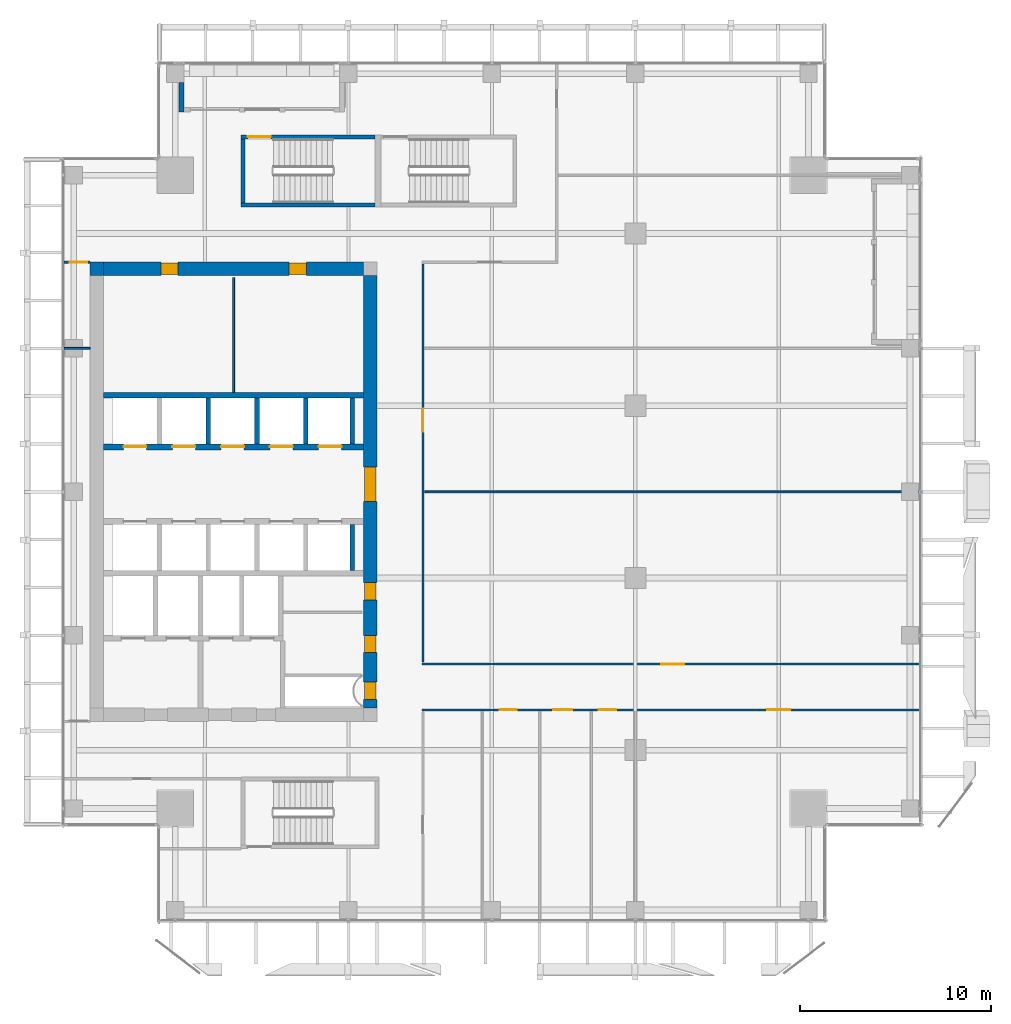
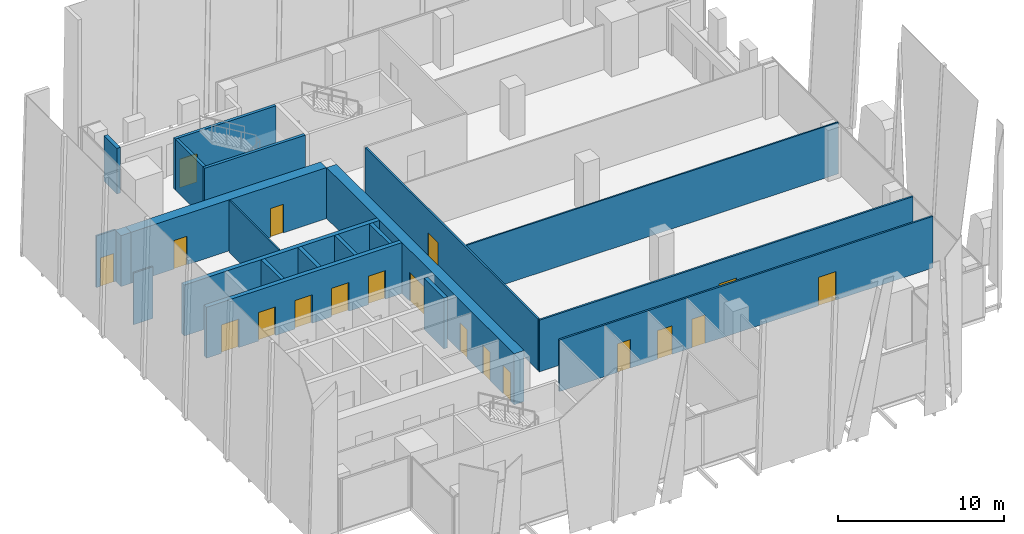
# One storey, part 29 of 35: 21 walls, 19 doors, 19 openings.
"""IFC4 building model written with IfcOpenShell, lengths in metres."""

from ifc_helpers import new_model, si_unit, direction, frame, frame_2d, origin, place, context, subcontext, project, spatial, rectangle, extrude, source, transform, mapped, material, layer, layer_set, type_object, element, fill, save


model = new_model("IFC4")

# Units and contexts
model_context = context("Model", 3, precision=1e-05, world=origin(), true_north=direction((0.0, 1.0)))
body_context = subcontext(model_context, "Body", "Model", "MODEL_VIEW")
ifc_project = project(units=[si_unit("LENGTHUNIT", "METRE"), si_unit("AREAUNIT", "SQUARE_METRE"), si_unit("VOLUMEUNIT", "CUBIC_METRE"), si_unit("PLANEANGLEUNIT", "RADIAN"), si_unit("MASSUNIT", "GRAM", prefix="KILO")], contexts=[model_context])

# Site, building, storey
site_placement = place(None, origin())
site = spatial("IfcSite", under=ifc_project, at=site_placement, CompositionType="ELEMENT")
building_placement = place(site_placement, origin())
building = spatial("IfcBuilding", under=site, at=building_placement, Name="Khomas Fold Tower", CompositionType="ELEMENT")
storey_placement = place(building_placement, frame((0.0, 0.0, 246.199951171875)))
storey = spatial("IfcBuildingStorey", under=building, at=storey_placement, Name="L55", CompositionType="ELEMENT", Elevation=246.199951171875)

# Wall, opening, door
ifc_material_1 = material(Name="Concrete C50/60", Category="concrete")
ifc_layer_1 = layer(ifc_material_1, 0.199951171875)
ifc_layer_set_1 = layer_set([ifc_layer_1], Name="Concrete C50/60")
wall_type_1 = type_object("IfcWallType", Name="Stair wall 200", PredefinedType="SHEAR", material=ifc_layer_set_1)
shared_shape_1 = source(origin(), body_context, "Body", "SweptSolid", [
    extrude(rectangle(XDim=7.0, YDim=0.199951171875, at=frame_2d((3.5, 0.0))), origin(), (0.0, 0.0, 1.0), 3.75),
])
wall_1_placement = place(storey_placement, frame((13.89990234375, 45.550048828125, 0.0), z_axis=(0.0, 0.0, 1.0), x_axis=(1.0, 0.0, 0.0)))
wall_1 = element("IfcWall", 1, at=wall_1_placement, inside=storey, type_object=wall_type_1, Name="Stair wall SW-ST1-N", PredefinedType="SHEAR", context=body_context, shape_type="MappedRepresentation", body=[
    mapped(shared_shape_1, transform((0.0, 0.0, 0.0))),
])
shared_shape_2 = source(origin(), body_context, "Body", "SweptSolid", [
    extrude(rectangle(XDim=1.199951171875, YDim=2.10009765625, at=frame_2d((0.60009765625, 1.050048828125))), frame((0.0, 0.10986328125, 0.0), z_axis=(0.0, -1.0, 0.0), x_axis=(1.0, 0.0, 0.0)), (0.0, 0.0, 1.0), 0.219970703125),
])
opening_1_placement = place(wall_1_placement, frame((0.35009765625, 0.0, 0.0)))
opening_1 = element("IfcOpeningElement", 2, at=opening_1_placement, cuts=wall_1, Name="Opening SD-ST1", PredefinedType="OPENING", context=body_context, shape_type="MappedRepresentation", body=[
    mapped(shared_shape_2, transform((0.0, 0.0, 0.0))),
])
ifc_material_2 = material(Name="Steel door leaf", Category="steel")
door_type_1 = type_object("IfcDoorType", Name="Stair door 1200x2100 left-hand", OperationType="SINGLE_SWING_LEFT", PredefinedType="DOOR", material=ifc_material_2)
shared_shape_3 = source(origin(), body_context, "Body", "SweptSolid", [
    extrude(rectangle(XDim=1.199951171875, YDim=2.10009765625, at=frame_2d((0.60009765625, 1.050048828125))), frame((0.0, 0.02490234375, 0.0), z_axis=(0.0, -1.0, 0.0), x_axis=(1.0, 0.0, 0.0)), (0.0, 0.0, 1.0), 0.050048828125),
])
door_1_placement = place(opening_1_placement, origin())
door_1 = element("IfcDoor", 3, at=door_1_placement, inside=storey, type_object=door_type_1, Name="Stair door", OperationType="SINGLE_SWING_LEFT", OverallHeight=2.10009765625, OverallWidth=1.199951171875, PredefinedType="DOOR", context=body_context, shape_type="MappedRepresentation", body=[
    mapped(shared_shape_3, transform((0.0, 0.0, 0.0))),
])
fill(opening_1, door_1)

# Walls
wall_2_placement = place(storey_placement, frame((13.89990234375, 42.0, 0.0), z_axis=(0.0, 0.0, 1.0), x_axis=(1.0, 0.0, 0.0)))
element("IfcWall", 4, at=wall_2_placement, inside=storey, type_object=wall_type_1, Name="Stair wall SW-ST1-S", PredefinedType="SHEAR", context=body_context, shape_type="MappedRepresentation", body=[
    mapped(shared_shape_1, transform((0.0, 0.0, 0.0))),
])
shared_shape_4 = source(origin(), body_context, "Body", "SweptSolid", [
    extrude(rectangle(XDim=3.349853515625, YDim=0.199951171875, at=frame_2d((1.6748046875, 0.0))), origin(), (0.0, 0.0, 1.0), 3.75),
])
wall_3_placement = place(storey_placement, frame((14.0, 42.10009765625, 0.0), z_axis=(0.0, 0.0, 1.0), x_axis=(0.0, 1.0, 0.0)))
element("IfcWall", 5, at=wall_3_placement, inside=storey, type_object=wall_type_1, Name="Stair wall SW-ST1-W", PredefinedType="SHEAR", context=body_context, shape_type="MappedRepresentation", body=[
    mapped(shared_shape_4, transform((0.0, 0.0, 0.0))),
])
ifc_material_3 = material(Name="Concrete C50/60", Category="concrete")
ifc_layer_2 = layer(ifc_material_3, 0.25)
ifc_layer_set_2 = layer_set([ifc_layer_2], Name="Concrete C50/60")
wall_type_2 = type_object("IfcWallType", Name="Shaft wall 250", PredefinedType="STANDARD", material=ifc_layer_set_2)
shared_shape_5 = source(origin(), body_context, "Body", "SweptSolid", [
    extrude(rectangle(XDim=2.39990234375, YDim=0.25, at=frame_2d((1.199951171875, 0.0))), origin(), (0.0, 0.0, 1.0), 3.75),
])
for number, where, z_axis, x_axis, name in (
    (6, (17.27490234375, 29.5, 0.0), (0.0, 0.0, 1.0), (0.0, 1.0, 0.0), "Core wall SW-HRN-MR-P1"),
    (7, (19.699951171875, 29.5, 0.0), (0.0, 0.0, 1.0), (0.0, 1.0, 0.0), "Core wall SW-HRN-MR-PE"),
    (8, (12.175048828125, 29.5, 0.0), (0.0, 0.0, 1.0), (0.0, 1.0, 0.0), "Core wall SW-HRN-P2"),
    (9, (14.72509765625, 29.5, 0.0), (0.0, 0.0, 1.0), (0.0, 1.0, 0.0), "Core wall SW-HRN-PE"),
):
    element("IfcWall", number, at=place(storey_placement, frame(where, z_axis=z_axis, x_axis=x_axis)), inside=storey, type_object=wall_type_2, Name=name, PredefinedType="STANDARD", context=body_context, shape_type="MappedRepresentation", body=[
        mapped(shared_shape_5, transform((0.0, 0.0, 0.0))),
    ])
shared_shape_6 = source(origin(), body_context, "Body", "SweptSolid", [
    extrude(rectangle(XDim=2.400146484375, YDim=0.25, at=frame_2d((1.2001953125, 0.0))), origin(), (0.0, 0.0, 1.0), 3.75),
])
wall_4_placement = place(storey_placement, frame((19.699951171875, 22.89990234375, 0.0), z_axis=(0.0, 0.0, 1.0), x_axis=(0.0, 1.0, 0.0)))
element("IfcWall", 10, at=wall_4_placement, inside=storey, type_object=wall_type_2, Name="Core wall SW-HRS-MR-PE", PredefinedType="STANDARD", context=body_context, shape_type="MappedRepresentation", body=[
    mapped(shared_shape_6, transform((0.0, 0.0, 0.0))),
])

# Wall, openings, doors
ifc_material_4 = material(Name="Concrete C60/75", Category="concrete")
ifc_layer_3 = layer(ifc_material_4, 0.699951171875)
ifc_layer_set_3 = layer_set([ifc_layer_3], Name="Concrete C60/75")
wall_type_3 = type_object("IfcWallType", Name="Core wall 700", PredefinedType="SHEAR", material=ifc_layer_set_3)
shared_shape_7 = source(origin(), body_context, "Body", "SweptSolid", [
    extrude(rectangle(XDim=13.60009765625, YDim=0.699951171875, at=frame_2d((6.800048828125, 0.0))), origin(), (0.0, 0.0, 1.0), 3.75),
])
wall_5_placement = place(storey_placement, frame((6.699951171875, 38.64990234375, 0.0), z_axis=(0.0, 0.0, 1.0), x_axis=(1.0, 0.0, 0.0)))
wall_5 = element("IfcWall", 11, at=wall_5_placement, inside=storey, type_object=wall_type_3, Name="Core wall CW-U-N-L49", PredefinedType="SHEAR", context=body_context, shape_type="MappedRepresentation", body=[
    mapped(shared_shape_7, transform((0.0, 0.0, 0.0))),
])
shared_shape_8 = source(origin(), body_context, "Body", "SweptSolid", [
    extrude(rectangle(XDim=0.89990234375, YDim=2.10009765625, at=frame_2d((0.449951171875, 1.050048828125))), frame((0.0, 0.35986328125, 0.0), z_axis=(0.0, -1.0, 0.0), x_axis=(1.0, 0.0, 0.0)), (0.0, 0.0, 1.0), 0.719970703125),
])
opening_2_placement = place(wall_5_placement, frame((3.0, 0.0, 0.0)))
opening_2 = element("IfcOpeningElement", 12, at=opening_2_placement, cuts=wall_5, Name="Opening 0008", PredefinedType="OPENING", context=body_context, shape_type="MappedRepresentation", body=[
    mapped(shared_shape_8, transform((0.0, 0.0, 0.0))),
])
opening_3_placement = place(wall_5_placement, frame((9.699951171875, 0.0, 0.0)))
opening_3 = element("IfcOpeningElement", 13, at=opening_3_placement, cuts=wall_5, Name="Opening 0008", PredefinedType="OPENING", context=body_context, shape_type="MappedRepresentation", body=[
    mapped(shared_shape_8, transform((0.0, 0.0, 0.0))),
])
ifc_material_5 = material(Name="Timber door leaf", Category="wood")
door_type_2 = type_object("IfcDoorType", Name="Door 900x2100 right-hand", OperationType="SINGLE_SWING_RIGHT", PredefinedType="DOOR", material=ifc_material_5)
shared_shape_9 = source(origin(), body_context, "Body", "SweptSolid", [
    extrude(rectangle(XDim=0.89990234375, YDim=2.10009765625, at=frame_2d((0.449951171875, 1.050048828125))), frame((0.0, 0.2998046875, 0.0), z_axis=(0.0, -1.0, 0.0), x_axis=(1.0, 0.0, 0.0)), (0.0, 0.0, 1.0), 0.599853515625),
])
door_2_placement = place(opening_2_placement, origin())
door_2 = element("IfcDoor", 14, at=door_2_placement, inside=storey, type_object=door_type_2, Name="Door", OperationType="SINGLE_SWING_RIGHT", OverallHeight=2.10009765625, OverallWidth=0.89990234375, PredefinedType="DOOR", context=body_context, shape_type="MappedRepresentation", body=[
    mapped(shared_shape_9, transform((0.0, 0.0, 0.0))),
])
fill(opening_2, door_2)
door_3_placement = place(opening_3_placement, origin())
door_3 = element("IfcDoor", 15, at=door_3_placement, inside=storey, type_object=door_type_2, Name="Door", OperationType="SINGLE_SWING_RIGHT", OverallHeight=2.10009765625, OverallWidth=0.89990234375, PredefinedType="DOOR", context=body_context, shape_type="MappedRepresentation", body=[
    mapped(shared_shape_9, transform((0.0, 0.0, 0.0))),
])
fill(opening_3, door_3)

# Wall
ifc_material_6 = material(Name="Concrete C60/75", Category="concrete")
ifc_layer_4 = layer(ifc_material_6, 0.699951171875)
ifc_layer_set_4 = layer_set([ifc_layer_4], Name="Concrete C60/75")
wall_type_4 = type_object("IfcWallType", Name="Core corner wall 700", PredefinedType="SHEAR", material=ifc_layer_set_4)
shared_shape_10 = source(origin(), body_context, "Body", "SweptSolid", [
    extrude(rectangle(XDim=0.699951171875, YDim=0.699951171875, at=frame_2d((0.35009765625, 0.0))), origin(), (0.0, 0.0, 1.0), 3.75),
])
wall_6_placement = place(storey_placement, frame((6.0, 38.64990234375, 0.0), z_axis=(0.0, 0.0, 1.0), x_axis=(1.0, 0.0, 0.0)))
element("IfcWall", 16, at=wall_6_placement, inside=storey, type_object=wall_type_4, Name="Core wall CW-U-NW-L49", PredefinedType="SHEAR", context=body_context, shape_type="MappedRepresentation", body=[
    mapped(shared_shape_10, transform((0.0, 0.0, 0.0))),
])

# Wall, openings, doors
shared_shape_11 = source(origin(), body_context, "Body", "SweptSolid", [
    extrude(rectangle(XDim=22.60009765625, YDim=0.699951171875, at=frame_2d((11.300048828125, 0.0))), origin(), (0.0, 0.0, 1.0), 3.75),
])
wall_7_placement = place(storey_placement, frame((20.64990234375, 15.699951171875, 0.0), z_axis=(0.0, 0.0, 1.0), x_axis=(0.0, 1.0, 0.0)))
wall_7 = element("IfcWall", 17, at=wall_7_placement, inside=storey, type_object=wall_type_3, Name="Core wall CW-U-E-L49", PredefinedType="SHEAR", context=body_context, shape_type="MappedRepresentation", body=[
    mapped(shared_shape_11, transform((0.0, 0.0, 0.0))),
])
shared_shape_12 = source(origin(), body_context, "Body", "SweptSolid", [
    extrude(rectangle(XDim=1.800048828125, YDim=2.10009765625, at=frame_2d((0.89990234375, 1.050048828125))), frame((0.0, 0.35986328125, 0.0), z_axis=(0.0, -1.0, 0.0), x_axis=(1.0, 0.0, 0.0)), (0.0, 0.0, 1.0), 0.719970703125),
])
opening_4_placement = place(wall_7_placement, frame((10.800048828125, 0.0, 0.0)))
opening_4 = element("IfcOpeningElement", 18, at=opening_4_placement, cuts=wall_7, Name="Opening 0015", PredefinedType="OPENING", context=body_context, shape_type="MappedRepresentation", body=[
    mapped(shared_shape_12, transform((0.0, 0.0, 0.0))),
])
opening_5_placement = place(wall_7_placement, frame((0.449951171875, 0.0, 0.0)))
opening_5 = element("IfcOpeningElement", 19, at=opening_5_placement, cuts=wall_7, Name="Opening 0003", PredefinedType="OPENING", context=body_context, shape_type="MappedRepresentation", body=[
    mapped(shared_shape_8, transform((0.0, 0.0, 0.0))),
])
opening_6_placement = place(wall_7_placement, frame((2.89990234375, 0.0, 0.0)))
opening_6 = element("IfcOpeningElement", 20, at=opening_6_placement, cuts=wall_7, Name="Opening 0008", PredefinedType="OPENING", context=body_context, shape_type="MappedRepresentation", body=[
    mapped(shared_shape_8, transform((0.0, 0.0, 0.0))),
])
opening_7_placement = place(wall_7_placement, frame((5.64990234375, 0.0, 0.0)))
opening_7 = element("IfcOpeningElement", 21, at=opening_7_placement, cuts=wall_7, Name="Opening 0008", PredefinedType="OPENING", context=body_context, shape_type="MappedRepresentation", body=[
    mapped(shared_shape_8, transform((0.0, 0.0, 0.0))),
])
ifc_material_7 = material(Name="Steel door leaf", Category="steel")
door_type_3 = type_object("IfcDoorType", Name="Lobby door 1800x2100", OperationType="DOUBLE_DOOR_SINGLE_SWING", PredefinedType="DOOR", material=ifc_material_7)
shared_shape_13 = source(origin(), body_context, "Body", "SweptSolid", [
    extrude(rectangle(XDim=1.800048828125, YDim=2.10009765625, at=frame_2d((0.89990234375, 1.050048828125))), frame((0.0, 0.2998046875, 0.0), z_axis=(0.0, -1.0, 0.0), x_axis=(1.0, 0.0, 0.0)), (0.0, 0.0, 1.0), 0.599853515625),
])
door_4_placement = place(opening_4_placement, origin())
door_4 = element("IfcDoor", 22, at=door_4_placement, inside=storey, type_object=door_type_3, Name="Lobby door", OperationType="DOUBLE_DOOR_SINGLE_SWING", OverallHeight=2.10009765625, OverallWidth=1.800048828125, PredefinedType="DOOR", context=body_context, shape_type="MappedRepresentation", body=[
    mapped(shared_shape_13, transform((0.0, 0.0, 0.0))),
])
fill(opening_4, door_4)
ifc_material_8 = material(Name="Steel door leaf", Category="steel")
door_type_4 = type_object("IfcDoorType", Name="Plant room door 900x2100 right-hand", OperationType="SINGLE_SWING_RIGHT", PredefinedType="DOOR", material=ifc_material_8)
door_5_placement = place(opening_5_placement, origin())
door_5 = element("IfcDoor", 23, at=door_5_placement, inside=storey, type_object=door_type_4, Name="Plant room door", OperationType="SINGLE_SWING_RIGHT", OverallHeight=2.10009765625, OverallWidth=0.89990234375, PredefinedType="DOOR", context=body_context, shape_type="MappedRepresentation", body=[
    mapped(shared_shape_9, transform((0.0, 0.0, 0.0))),
])
fill(opening_5, door_5)
door_6_placement = place(opening_6_placement, origin())
door_6 = element("IfcDoor", 24, at=door_6_placement, inside=storey, type_object=door_type_2, Name="Door", OperationType="SINGLE_SWING_RIGHT", OverallHeight=2.10009765625, OverallWidth=0.89990234375, PredefinedType="DOOR", context=body_context, shape_type="MappedRepresentation", body=[
    mapped(shared_shape_9, transform((0.0, 0.0, 0.0))),
])
fill(opening_6, door_6)
door_7_placement = place(opening_7_placement, origin())
door_7 = element("IfcDoor", 25, at=door_7_placement, inside=storey, type_object=door_type_2, Name="Door", OperationType="SINGLE_SWING_RIGHT", OverallHeight=2.10009765625, OverallWidth=0.89990234375, PredefinedType="DOOR", context=body_context, shape_type="MappedRepresentation", body=[
    mapped(shared_shape_9, transform((0.0, 0.0, 0.0))),
])
fill(opening_7, door_7)

# Wall
ifc_material_9 = material(Name="Concrete C50/60", Category="concrete")
ifc_layer_5 = layer(ifc_material_9, 0.300048828125)
ifc_layer_set_5 = layer_set([ifc_layer_5], Name="Concrete C50/60")
wall_type_5 = type_object("IfcWallType", Name="Shaft wall 300", PredefinedType="STANDARD", material=ifc_layer_set_5)
shared_shape_14 = source(origin(), body_context, "Body", "SweptSolid", [
    extrude(rectangle(XDim=13.60009765625, YDim=0.300048828125, at=frame_2d((6.800048828125, 0.0))), origin(), (0.0, 0.0, 1.0), 3.75),
])
wall_8_placement = place(storey_placement, frame((6.699951171875, 32.050048828125, 0.0), z_axis=(0.0, 0.0, 1.0), x_axis=(1.0, 0.0, 0.0)))
element("IfcWall", 26, at=wall_8_placement, inside=storey, type_object=wall_type_5, Name="Core wall SW-HRN-B", PredefinedType="STANDARD", context=body_context, shape_type="MappedRepresentation", body=[
    mapped(shared_shape_14, transform((0.0, 0.0, 0.0))),
])

# Wall, openings, doors
wall_9_placement = place(storey_placement, frame((6.699951171875, 29.35009765625, 0.0), z_axis=(0.0, 0.0, 1.0), x_axis=(1.0, 0.0, 0.0)))
wall_9 = element("IfcWall", 27, at=wall_9_placement, inside=storey, type_object=wall_type_5, Name="Core wall SW-HRN-F", PredefinedType="STANDARD", context=body_context, shape_type="MappedRepresentation", body=[
    mapped(shared_shape_14, transform((0.0, 0.0, 0.0))),
])
shared_shape_15 = source(origin(), body_context, "Body", "SweptSolid", [
    extrude(rectangle(XDim=1.199951171875, YDim=2.10009765625, at=frame_2d((0.60009765625, 1.050048828125))), frame((0.0, 0.159912109375, 0.0), z_axis=(0.0, -1.0, 0.0), x_axis=(1.0, 0.0, 0.0)), (0.0, 0.0, 1.0), 0.320068359375),
])
opening_8_placement = place(wall_9_placement, frame((1.050048828125, 0.0, 0.0)))
opening_8 = element("IfcOpeningElement", 28, at=opening_8_placement, cuts=wall_9, Name="Opening LD-HR4", PredefinedType="OPENING", context=body_context, shape_type="MappedRepresentation", body=[
    mapped(shared_shape_15, transform((0.0, 0.0, 0.0))),
])
opening_9_placement = place(wall_9_placement, frame((3.60009765625, 0.0, 0.0)))
opening_9 = element("IfcOpeningElement", 29, at=opening_9_placement, cuts=wall_9, Name="Opening LD-HR5", PredefinedType="OPENING", context=body_context, shape_type="MappedRepresentation", body=[
    mapped(shared_shape_15, transform((0.0, 0.0, 0.0))),
])
opening_10_placement = place(wall_9_placement, frame((6.14990234375, 0.0, 0.0)))
opening_10 = element("IfcOpeningElement", 30, at=opening_10_placement, cuts=wall_9, Name="Opening LD-HR6", PredefinedType="OPENING", context=body_context, shape_type="MappedRepresentation", body=[
    mapped(shared_shape_15, transform((0.0, 0.0, 0.0))),
])
opening_11_placement = place(wall_9_placement, frame((8.699951171875, 0.0, 0.0)))
opening_11 = element("IfcOpeningElement", 31, at=opening_11_placement, cuts=wall_9, Name="Opening LD-MR3", PredefinedType="OPENING", context=body_context, shape_type="MappedRepresentation", body=[
    mapped(shared_shape_15, transform((0.0, 0.0, 0.0))),
])
opening_12_placement = place(wall_9_placement, frame((11.25, 0.0, 0.0)))
opening_12 = element("IfcOpeningElement", 32, at=opening_12_placement, cuts=wall_9, Name="Opening LD-MR4", PredefinedType="OPENING", context=body_context, shape_type="MappedRepresentation", body=[
    mapped(shared_shape_15, transform((0.0, 0.0, 0.0))),
])
ifc_material_10 = material(Name="Steel door leaf", Category="steel")
door_type_5 = type_object("IfcDoorType", Name="Landing door 1200x2100", OperationType="DOUBLE_DOOR_SLIDING", PredefinedType="DOOR", material=ifc_material_10)
door_8_placement = place(opening_8_placement, origin())
door_8 = element("IfcDoor", 33, at=door_8_placement, inside=storey, type_object=door_type_5, Name="Lift landing door", OperationType="DOUBLE_DOOR_SLIDING", OverallHeight=2.10009765625, OverallWidth=1.199951171875, PredefinedType="DOOR", context=body_context, shape_type="MappedRepresentation", body=[
    mapped(shared_shape_3, transform((0.0, 0.0, 0.0))),
])
fill(opening_8, door_8)
door_9_placement = place(opening_9_placement, origin())
door_9 = element("IfcDoor", 34, at=door_9_placement, inside=storey, type_object=door_type_5, Name="Lift landing door", OperationType="DOUBLE_DOOR_SLIDING", OverallHeight=2.10009765625, OverallWidth=1.199951171875, PredefinedType="DOOR", context=body_context, shape_type="MappedRepresentation", body=[
    mapped(shared_shape_3, transform((0.0, 0.0, 0.0))),
])
fill(opening_9, door_9)
door_10_placement = place(opening_10_placement, origin())
door_10 = element("IfcDoor", 35, at=door_10_placement, inside=storey, type_object=door_type_5, Name="Lift landing door", OperationType="DOUBLE_DOOR_SLIDING", OverallHeight=2.10009765625, OverallWidth=1.199951171875, PredefinedType="DOOR", context=body_context, shape_type="MappedRepresentation", body=[
    mapped(shared_shape_3, transform((0.0, 0.0, 0.0))),
])
fill(opening_10, door_10)
door_11_placement = place(opening_11_placement, origin())
door_11 = element("IfcDoor", 36, at=door_11_placement, inside=storey, type_object=door_type_5, Name="Lift landing door", OperationType="DOUBLE_DOOR_SLIDING", OverallHeight=2.10009765625, OverallWidth=1.199951171875, PredefinedType="DOOR", context=body_context, shape_type="MappedRepresentation", body=[
    mapped(shared_shape_3, transform((0.0, 0.0, 0.0))),
])
fill(opening_11, door_11)
door_12_placement = place(opening_12_placement, origin())
door_12 = element("IfcDoor", 37, at=door_12_placement, inside=storey, type_object=door_type_5, Name="Lift landing door", OperationType="DOUBLE_DOOR_SLIDING", OverallHeight=2.10009765625, OverallWidth=1.199951171875, PredefinedType="DOOR", context=body_context, shape_type="MappedRepresentation", body=[
    mapped(shared_shape_3, transform((0.0, 0.0, 0.0))),
])
fill(opening_12, door_12)

# Walls
ifc_material_11 = material(Name="Natural stone", Category="masonry")
ifc_layer_6 = layer(ifc_material_11, 0.0400390625)
ifc_material_12 = material(Name="Mineral wool insulation", Category="insulation")
ifc_layer_7 = layer(ifc_material_12, 0.10009765625)
ifc_material_13 = material(Name="Masonry", Category="masonry")
ifc_layer_8 = layer(ifc_material_13, 0.110107421875)
ifc_layer_set_6 = layer_set([ifc_layer_6, ifc_layer_7, ifc_layer_8], Name="Stone-faced insulated masonry")
wall_type_6 = type_object("IfcWallType", Name="BL-Balcony wall", PredefinedType="SOLIDWALL", material=ifc_layer_set_6)
shared_shape_16 = source(origin(), body_context, "Body", "SweptSolid", [
    extrude(rectangle(XDim=1.5498046875, YDim=0.25, at=frame_2d((0.77490234375, 0.0))), origin(), (0.0, 0.0, 1.0), 3.35009765625),
])
wall_10_placement = place(storey_placement, frame((10.77490234375, 48.39990234375, 0.0), z_axis=(0.0, 0.0, 1.0), x_axis=(0.0, -1.0, 0.0)))
element("IfcWall", 38, at=wall_10_placement, inside=storey, type_object=wall_type_6, Name="Balcony return wall BAL-L55-N1-lo", PredefinedType="SOLIDWALL", context=body_context, shape_type="MappedRepresentation", body=[
    mapped(shared_shape_16, transform((0.0, 0.0, 0.0))),
])
ifc_material_14 = material(Name="Plasterboard partition")
ifc_layer_9 = layer(ifc_material_14, 0.10009765625)
ifc_layer_set_7 = layer_set([ifc_layer_9], Name="Plasterboard partition")
wall_type_7 = type_object("IfcWallType", Name="Partition PW1 100", PredefinedType="PARTITIONING", material=ifc_layer_set_7)
shared_shape_17 = source(origin(), body_context, "Body", "SweptSolid", [
    extrude(rectangle(XDim=6.0, YDim=0.10009765625, at=frame_2d((3.0, 0.0))), origin(), (0.0, 0.0, 1.0), 3.800048828125),
])
wall_11_placement = place(storey_placement, frame((13.5, 32.199951171875, 0.0), z_axis=(0.0, 0.0, 1.0), x_axis=(0.0, 1.0, 0.0)))
element("IfcWall", 39, at=wall_11_placement, inside=storey, type_object=wall_type_7, Name="Partition", PredefinedType="PARTITIONING", context=body_context, shape_type="MappedRepresentation", body=[
    mapped(shared_shape_17, transform((0.0, 0.0, 0.0))),
])

# Wall, opening, door
ifc_material_15 = material(Name="Plasterboard partition")
ifc_layer_10 = layer(ifc_material_15, 0.125)
ifc_layer_set_8 = layer_set([ifc_layer_10], Name="Plasterboard partition")
wall_type_8 = type_object("IfcWallType", Name="Partition PW2 125", PredefinedType="PARTITIONING", material=ifc_layer_set_8)
shared_shape_18 = source(origin(), body_context, "Body", "SweptSolid", [
    extrude(rectangle(XDim=1.35009765625, YDim=0.125, at=frame_2d((0.675048828125, 0.0))), origin(), (0.0, 0.0, 1.0), 3.800048828125),
])
wall_12_placement = place(storey_placement, frame((4.64990234375, 39.0, 0.0), z_axis=(0.0, 0.0, 1.0), x_axis=(1.0, 0.0, 0.0)))
wall_12 = element("IfcWall", 40, at=wall_12_placement, inside=storey, type_object=wall_type_8, Name="Partition", PredefinedType="PARTITIONING", context=body_context, shape_type="MappedRepresentation", body=[
    mapped(shared_shape_18, transform((0.0, 0.0, 0.0))),
])
shared_shape_19 = source(origin(), body_context, "Body", "SweptSolid", [
    extrude(rectangle(XDim=0.89990234375, YDim=2.10009765625, at=frame_2d((0.449951171875, 1.050048828125))), frame((0.0, 0.072509765625, 0.0), z_axis=(0.0, -1.0, 0.0), x_axis=(1.0, 0.0, 0.0)), (0.0, 0.0, 1.0), 0.14501953125),
])
opening_13_placement = place(wall_12_placement, frame((0.300048828125, 0.0, 0.0)))
opening_13 = element("IfcOpeningElement", 41, at=opening_13_placement, cuts=wall_12, Name="Opening 0008", PredefinedType="OPENING", context=body_context, shape_type="MappedRepresentation", body=[
    mapped(shared_shape_19, transform((0.0, 0.0, 0.0))),
])
shared_shape_20 = source(origin(), body_context, "Body", "SweptSolid", [
    extrude(rectangle(XDim=0.89990234375, YDim=2.10009765625, at=frame_2d((0.449951171875, 1.050048828125))), frame((0.0, 0.02490234375, 0.0), z_axis=(0.0, -1.0, 0.0), x_axis=(1.0, 0.0, 0.0)), (0.0, 0.0, 1.0), 0.050048828125),
])
door_13_placement = place(opening_13_placement, origin())
door_13 = element("IfcDoor", 42, at=door_13_placement, inside=storey, type_object=door_type_2, Name="Door", OperationType="SINGLE_SWING_RIGHT", OverallHeight=2.10009765625, OverallWidth=0.89990234375, PredefinedType="DOOR", context=body_context, shape_type="MappedRepresentation", body=[
    mapped(shared_shape_20, transform((0.0, 0.0, 0.0))),
])
fill(opening_13, door_13)

# Wall, openings, doors
shared_shape_21 = source(origin(), body_context, "Body", "SweptSolid", [
    extrude(rectangle(XDim=26.0, YDim=0.125, at=frame_2d((13.0, 0.0))), origin(), (0.0, 0.0, 1.0), 3.800048828125),
])
wall_13_placement = place(storey_placement, frame((23.35009765625, 15.60009765625, 0.0), z_axis=(0.0, 0.0, 1.0), x_axis=(1.0, 0.0, 0.0)))
wall_13 = element("IfcWall", 43, at=wall_13_placement, inside=storey, type_object=wall_type_8, Name="Partition", PredefinedType="PARTITIONING", context=body_context, shape_type="MappedRepresentation", body=[
    mapped(shared_shape_21, transform((0.0, 0.0, 0.0))),
])
opening_14_placement = place(wall_13_placement, frame((4.050048828125, 0.0, 0.0)))
opening_14 = element("IfcOpeningElement", 44, at=opening_14_placement, cuts=wall_13, Name="Opening 0005", PredefinedType="OPENING", context=body_context, shape_type="MappedRepresentation", body=[
    mapped(shared_shape_19, transform((0.0, 0.0, 0.0))),
])
shared_shape_22 = source(origin(), body_context, "Body", "SweptSolid", [
    extrude(rectangle(XDim=1.0, YDim=2.10009765625, at=frame_2d((0.5, 1.050048828125))), frame((0.0, 0.072509765625, 0.0), z_axis=(0.0, -1.0, 0.0), x_axis=(1.0, 0.0, 0.0)), (0.0, 0.0, 1.0), 0.14501953125),
])
opening_15_placement = place(wall_13_placement, frame((6.85009765625, 0.0, 0.0)))
opening_15 = element("IfcOpeningElement", 45, at=opening_15_placement, cuts=wall_13, Name="Opening 0014", PredefinedType="OPENING", context=body_context, shape_type="MappedRepresentation", body=[
    mapped(shared_shape_22, transform((0.0, 0.0, 0.0))),
])
opening_16_placement = place(wall_13_placement, frame((9.25, 0.0, 0.0)))
opening_16 = element("IfcOpeningElement", 46, at=opening_16_placement, cuts=wall_13, Name="Opening 0007", PredefinedType="OPENING", context=body_context, shape_type="MappedRepresentation", body=[
    mapped(shared_shape_19, transform((0.0, 0.0, 0.0))),
])
shared_shape_23 = source(origin(), body_context, "Body", "SweptSolid", [
    extrude(rectangle(XDim=1.199951171875, YDim=2.10009765625, at=frame_2d((0.60009765625, 1.050048828125))), frame((0.0, 0.072509765625, 0.0), z_axis=(0.0, -1.0, 0.0), x_axis=(1.0, 0.0, 0.0)), (0.0, 0.0, 1.0), 0.14501953125),
])
opening_17_placement = place(wall_13_placement, frame((18.050048828125, 0.0, 0.0)))
opening_17 = element("IfcOpeningElement", 47, at=opening_17_placement, cuts=wall_13, Name="Opening 0001", PredefinedType="OPENING", context=body_context, shape_type="MappedRepresentation", body=[
    mapped(shared_shape_23, transform((0.0, 0.0, 0.0))),
])
ifc_material_16 = material(Name="Timber door leaf", Category="wood")
door_type_6 = type_object("IfcDoorType", Name="WC door 900x2100 left-hand", OperationType="SINGLE_SWING_LEFT", PredefinedType="DOOR", material=ifc_material_16)
door_14_placement = place(opening_14_placement, origin())
door_14 = element("IfcDoor", 48, at=door_14_placement, inside=storey, type_object=door_type_6, Name="WC door", OperationType="SINGLE_SWING_LEFT", OverallHeight=2.10009765625, OverallWidth=0.89990234375, PredefinedType="DOOR", context=body_context, shape_type="MappedRepresentation", body=[
    mapped(shared_shape_20, transform((0.0, 0.0, 0.0))),
])
fill(opening_14, door_14)
ifc_material_17 = material(Name="Timber door leaf", Category="wood")
door_type_7 = type_object("IfcDoorType", Name="Door 900x2100 left-hand", OperationType="SINGLE_SWING_LEFT", PredefinedType="DOOR", material=ifc_material_17)
door_15_placement = place(opening_16_placement, origin())
door_15 = element("IfcDoor", 49, at=door_15_placement, inside=storey, type_object=door_type_7, Name="Door", OperationType="SINGLE_SWING_LEFT", OverallHeight=2.10009765625, OverallWidth=0.89990234375, PredefinedType="DOOR", context=body_context, shape_type="MappedRepresentation", body=[
    mapped(shared_shape_20, transform((0.0, 0.0, 0.0))),
])
fill(opening_16, door_15)
ifc_material_18 = material(Name="Timber door leaf", Category="wood")
door_type_8 = type_object("IfcDoorType", Name="WC door 1000x2100 left-hand", OperationType="SINGLE_SWING_LEFT", PredefinedType="DOOR", material=ifc_material_18)
shared_shape_24 = source(origin(), body_context, "Body", "SweptSolid", [
    extrude(rectangle(XDim=1.0, YDim=2.10009765625, at=frame_2d((0.5, 1.050048828125))), frame((0.0, 0.02490234375, 0.0), z_axis=(0.0, -1.0, 0.0), x_axis=(1.0, 0.0, 0.0)), (0.0, 0.0, 1.0), 0.050048828125),
])
door_16_placement = place(opening_15_placement, origin())
door_16 = element("IfcDoor", 50, at=door_16_placement, inside=storey, type_object=door_type_8, Name="WC door", OperationType="SINGLE_SWING_LEFT", OverallHeight=2.10009765625, OverallWidth=1.0, PredefinedType="DOOR", context=body_context, shape_type="MappedRepresentation", body=[
    mapped(shared_shape_24, transform((0.0, 0.0, 0.0))),
])
fill(opening_15, door_16)
ifc_material_19 = material(Name="Timber door leaf", Category="wood")
door_type_9 = type_object("IfcDoorType", Name="Door 1200x2100 right-hand", OperationType="SINGLE_SWING_RIGHT", PredefinedType="DOOR", material=ifc_material_19)
door_17_placement = place(opening_17_placement, origin())
door_17 = element("IfcDoor", 51, at=door_17_placement, inside=storey, type_object=door_type_9, Name="Door", OperationType="SINGLE_SWING_RIGHT", OverallHeight=2.10009765625, OverallWidth=1.199951171875, PredefinedType="DOOR", context=body_context, shape_type="MappedRepresentation", body=[
    mapped(shared_shape_3, transform((0.0, 0.0, 0.0))),
])
fill(opening_17, door_17)

# Wall, opening, door
wall_14_placement = place(storey_placement, frame((23.35009765625, 18.0, 0.0), z_axis=(0.0, 0.0, 1.0), x_axis=(1.0, 0.0, 0.0)))
wall_14 = element("IfcWall", 52, at=wall_14_placement, inside=storey, type_object=wall_type_8, Name="Partition", PredefinedType="PARTITIONING", context=body_context, shape_type="MappedRepresentation", body=[
    mapped(shared_shape_21, transform((0.0, 0.0, 0.0))),
])
opening_18_placement = place(wall_14_placement, frame((12.5, 0.0, 0.0)))
opening_18 = element("IfcOpeningElement", 53, at=opening_18_placement, cuts=wall_14, Name="Opening 0001", PredefinedType="OPENING", context=body_context, shape_type="MappedRepresentation", body=[
    mapped(shared_shape_23, transform((0.0, 0.0, 0.0))),
])
door_18_placement = place(opening_18_placement, origin())
door_18 = element("IfcDoor", 54, at=door_18_placement, inside=storey, type_object=door_type_9, Name="Door", OperationType="SINGLE_SWING_RIGHT", OverallHeight=2.10009765625, OverallWidth=1.199951171875, PredefinedType="DOOR", context=body_context, shape_type="MappedRepresentation", body=[
    mapped(shared_shape_3, transform((0.0, 0.0, 0.0))),
])
fill(opening_18, door_18)

# Wall
shared_shape_25 = source(origin(), body_context, "Body", "SweptSolid", [
    extrude(rectangle(XDim=1.35009765625, YDim=0.10009765625, at=frame_2d((0.675048828125, 0.0))), origin(), (0.0, 0.0, 1.0), 3.800048828125),
])
wall_15_placement = place(storey_placement, frame((4.64990234375, 34.5, 0.0), z_axis=(0.0, 0.0, 1.0), x_axis=(1.0, 0.0, 0.0)))
element("IfcWall", 55, at=wall_15_placement, inside=storey, type_object=wall_type_7, Name="Partition", PredefinedType="PARTITIONING", context=body_context, shape_type="MappedRepresentation", body=[
    mapped(shared_shape_25, transform((0.0, 0.0, 0.0))),
])

# Wall, opening, door
shared_shape_26 = source(origin(), body_context, "Body", "SweptSolid", [
    extrude(rectangle(XDim=20.7998046875, YDim=0.125, at=frame_2d((10.39990234375, 0.0))), origin(), (0.0, 0.0, 1.0), 3.800048828125),
])
wall_16_placement = place(storey_placement, frame((23.39990234375, 18.10009765625, 0.0), z_axis=(0.0, 0.0, 1.0), x_axis=(0.0, 1.0, 0.0)))
wall_16 = element("IfcWall", 56, at=wall_16_placement, inside=storey, type_object=wall_type_8, Name="Partition", PredefinedType="PARTITIONING", context=body_context, shape_type="MappedRepresentation", body=[
    mapped(shared_shape_26, transform((0.0, 0.0, 0.0))),
])
opening_19_placement = place(wall_16_placement, frame((12.050048828125, 0.0, 0.0)))
opening_19 = element("IfcOpeningElement", 57, at=opening_19_placement, cuts=wall_16, Name="Opening 0001", PredefinedType="OPENING", context=body_context, shape_type="MappedRepresentation", body=[
    mapped(shared_shape_23, transform((0.0, 0.0, 0.0))),
])
door_19_placement = place(opening_19_placement, origin())
door_19 = element("IfcDoor", 58, at=door_19_placement, inside=storey, type_object=door_type_9, Name="Door", OperationType="SINGLE_SWING_RIGHT", OverallHeight=2.10009765625, OverallWidth=1.199951171875, PredefinedType="DOOR", context=body_context, shape_type="MappedRepresentation", body=[
    mapped(shared_shape_3, transform((0.0, 0.0, 0.0))),
])
fill(opening_19, door_19)

# Wall
shared_shape_27 = source(origin(), body_context, "Body", "SweptSolid", [
    extrude(rectangle(XDim=25.85009765625, YDim=0.10009765625, at=frame_2d((12.925048828125, 0.0))), origin(), (0.0, 0.0, 1.0), 3.800048828125),
])
wall_17_placement = place(storey_placement, frame((23.5, 27.0, 0.0), z_axis=(0.0, 0.0, 1.0), x_axis=(1.0, 0.0, 0.0)))
element("IfcWall", 59, at=wall_17_placement, inside=storey, type_object=wall_type_7, Name="Partition", PredefinedType="PARTITIONING", context=body_context, shape_type="MappedRepresentation", body=[
    mapped(shared_shape_27, transform((0.0, 0.0, 0.0))),
])

save(model, "model.ifc")
